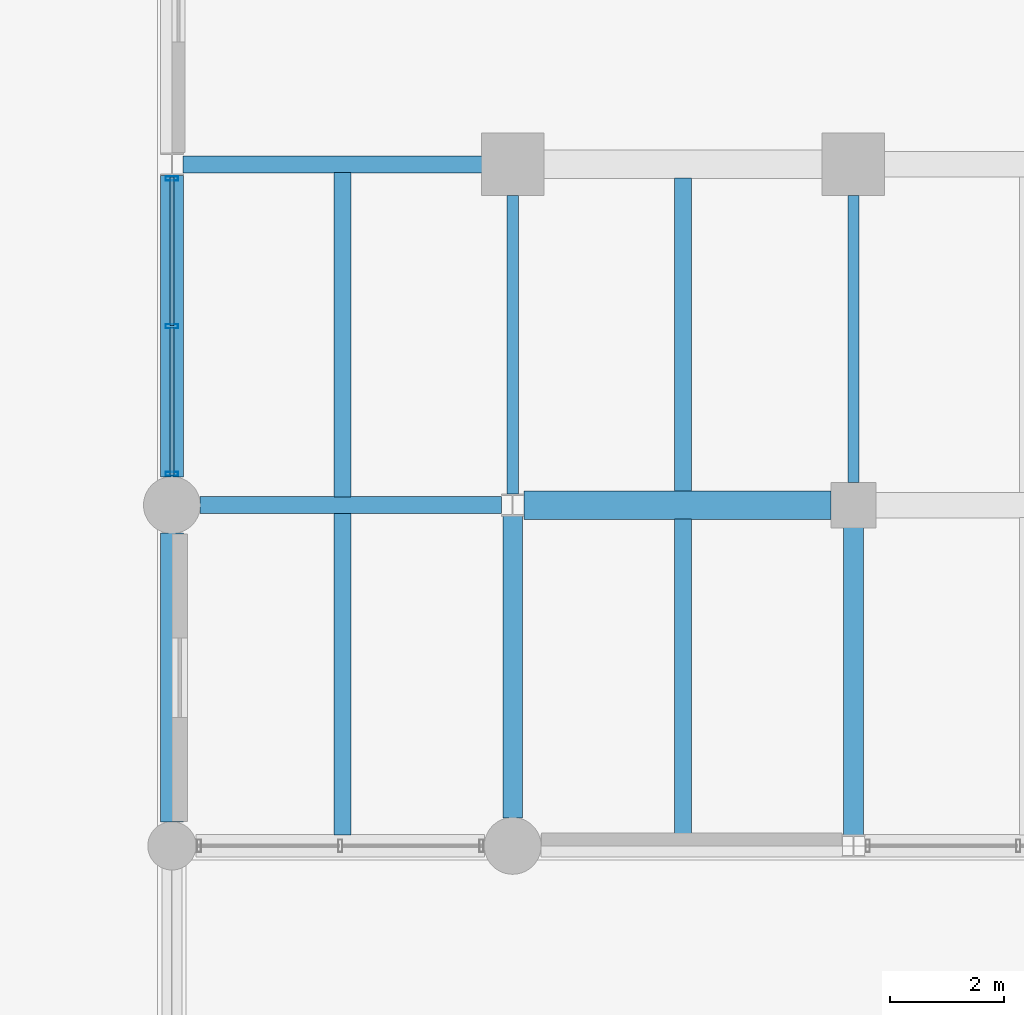
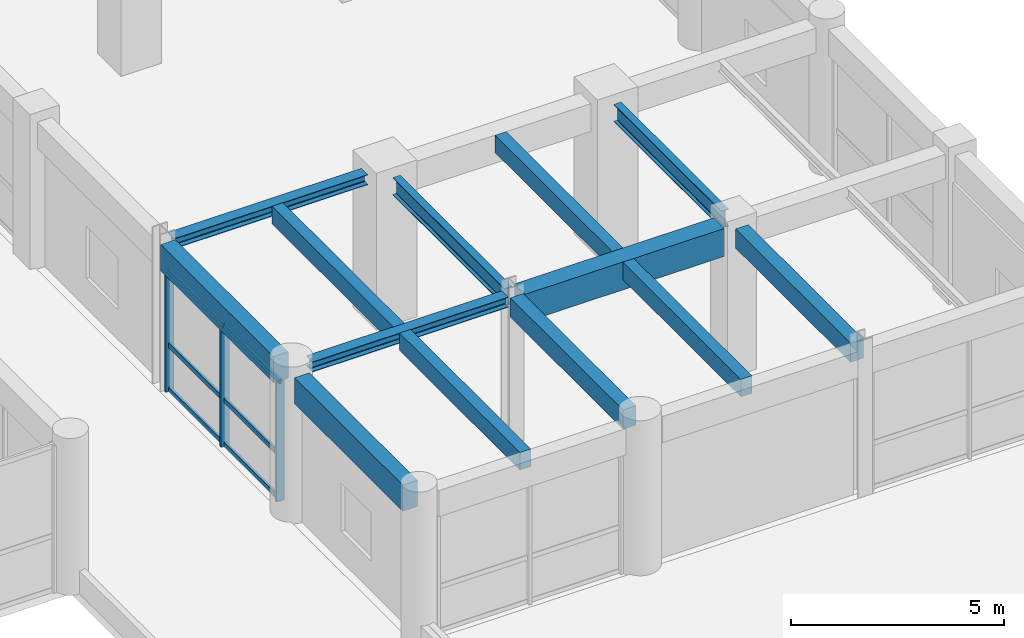
# One storey, part 63 of 133: 13 beams, 9 members, 1 element without a shape of its own.
"""IFC4 building model written with IfcOpenShell, lengths in metres."""

from ifc_helpers import new_model, si_unit, direction, frame, origin, origin_2d, place, context, subcontext, project, spatial, rectangle, hollow_rectangle, i_section, extrude, material, material_profile, profile_set, type_object, element, aggregate, save


model = new_model("IFC4")

# Units and contexts
model_context = context("Model", 3, precision=1e-05, world=origin(), true_north=direction((0.0, 1.0)))
body_context = subcontext(model_context, "Body", "Model", "MODEL_VIEW")
ifc_project = project(units=[si_unit("LENGTHUNIT", "METRE"), si_unit("AREAUNIT", "SQUARE_METRE"), si_unit("VOLUMEUNIT", "CUBIC_METRE"), si_unit("PLANEANGLEUNIT", "RADIAN"), si_unit("MASSUNIT", "GRAM", prefix="KILO"), si_unit("THERMODYNAMICTEMPERATUREUNIT", "KELVIN"), si_unit("POWERUNIT", "WATT")], contexts=[model_context])

# Site, building, storey
site_placement = place(None, origin())
site = spatial("IfcSite", under=ifc_project, at=site_placement, CompositionType="ELEMENT")
building_placement = place(site_placement, origin())
building = spatial("IfcBuilding", under=site, at=building_placement, Name="Phaisarnlok Congress Hotel", CompositionType="ELEMENT")
storey_placement = place(building_placement, frame((0.0, 0.0, 6.0)))
storey = spatial("IfcBuildingStorey", under=building, at=storey_placement, Name="L01", CompositionType="ELEMENT", Elevation=6.0)

# Beams
ifc_material_1 = material(Name="Concrete C40/50", Category="concrete")
ifc_material_profile_1 = material_profile(ifc_material_1, rectangle(XDim=0.35009765625, YDim=0.550048828125, at=origin_2d()), Name="RC 350x550")
ifc_profile_set_1 = profile_set([ifc_material_profile_1], Name="Concrete C40/50")
beam_type_1 = type_object("IfcBeamType", Name="BM-RC-350x550", PredefinedType="BEAM", material=ifc_profile_set_1)
beam_1_placement = place(storey_placement, frame((168.0, 30.4951171875, 3.945068359375), z_axis=(0.0, 1.0, 0.0), x_axis=(-1.0, 0.0, 0.0)))
element("IfcBeam", 1, at=beam_1_placement, inside=storey, type_object=beam_type_1, Name="Beam B-01", PredefinedType="BEAM", context=body_context, shape_type="SweptSolid", body=[
    extrude(rectangle(XDim=0.35009765625, YDim=0.550048828125, at=origin_2d()), origin(), (0.0, 0.0, 1.0), 5.310302734375),
])
beam_2_placement = place(storey_placement, frame((174.0, 30.194580078125, 3.945068359375), z_axis=(0.0, 1.0, 0.0), x_axis=(-1.0, 0.0, 0.0)))
element("IfcBeam", 2, at=beam_2_placement, inside=storey, type_object=beam_type_1, Name="Beam B-01", PredefinedType="BEAM", context=body_context, shape_type="SweptSolid", body=[
    extrude(rectangle(XDim=0.35009765625, YDim=0.550048828125, at=origin_2d()), origin(), (0.0, 0.0, 1.0), 5.410400390625),
])
ifc_material_profile_2 = material_profile(ifc_material_1, rectangle(XDim=0.5, YDim=0.800048828125, at=origin_2d()), Name="RC 500x800")
ifc_profile_set_2 = profile_set([ifc_material_profile_2], Name="Concrete C40/50")
beam_type_2 = type_object("IfcBeamType", Name="BM-RC-500x800", PredefinedType="BEAM", material=ifc_profile_set_2)
beam_3_placement = place(storey_placement, frame((168.195556640625, 36.0, 3.820068359375), z_axis=(1.0, 0.0, 0.0), x_axis=(0.0, 1.0, 0.0)))
element("IfcBeam", 3, at=beam_3_placement, inside=storey, type_object=beam_type_2, Name="Beam B-04", PredefinedType="BEAM", context=body_context, shape_type="SweptSolid", body=[
    extrude(rectangle(XDim=0.5, YDim=0.800048828125, at=origin_2d()), origin(), (0.0, 0.0, 1.0), 5.409423828125),
])
ifc_material_2 = material(Name="Steel S355", Category="steel")
ifc_material_profile_3 = material_profile(ifc_material_2, i_section(OverallWidth=0.300048828125, OverallDepth=0.2900390625, WebThickness=0.008544921875, FlangeThickness=0.013916015625, FilletRadius=0.027099609375, at=origin_2d()), Name="HEA 300")
ifc_profile_set_3 = profile_set([ifc_material_profile_3], Name="Steel S355")
beam_type_3 = type_object("IfcBeamType", Name="BM-STL-HEA300", PredefinedType="BEAM", material=ifc_profile_set_3)
beam_4_placement = place(storey_placement, frame((162.4951171875, 36.0, 4.074951171875), z_axis=(1.0, 0.0, 0.0), x_axis=(0.0, 1.0, 0.0)))
element("IfcBeam", 4, at=beam_4_placement, inside=storey, type_object=beam_type_3, Name="Beam SB-05", PredefinedType="BEAM", context=body_context, shape_type="SweptSolid", body=[
    extrude(i_section(OverallWidth=0.300048828125, OverallDepth=0.2900390625, WebThickness=0.008544921875, FlangeThickness=0.013916015625, FilletRadius=0.027099609375, at=origin_2d()), origin(), (0.0, 0.0, 1.0), 5.309326171875),
])
beam_5_placement = place(storey_placement, frame((162.195556640625, 42.0, 4.074951171875), z_axis=(1.0, 0.0, 0.0), x_axis=(0.0, 1.0, 0.0)))
element("IfcBeam", 5, at=beam_5_placement, inside=storey, type_object=beam_type_3, Name="Beam SB-05", PredefinedType="BEAM", context=body_context, shape_type="SweptSolid", body=[
    extrude(i_section(OverallWidth=0.300048828125, OverallDepth=0.2900390625, WebThickness=0.008544921875, FlangeThickness=0.013916015625, FilletRadius=0.027099609375, at=origin_2d()), origin(), (0.0, 0.0, 1.0), 5.259521484375),
])
ifc_material_profile_4 = material_profile(ifc_material_2, i_section(OverallWidth=0.199951171875, OverallDepth=0.5, WebThickness=0.01025390625, FlangeThickness=0.01611328125, FilletRadius=0.02099609375, at=origin_2d()), Name="IPE 500")
ifc_profile_set_4 = profile_set([ifc_material_profile_4], Name="Steel S355")
beam_type_4 = type_object("IfcBeamType", Name="BM-STL-IPE500", PredefinedType="BEAM", material=ifc_profile_set_4)
beam_6_placement = place(storey_placement, frame((168.0, 36.194580078125, 3.969970703125), z_axis=(0.0, 1.0, 0.0), x_axis=(-1.0, 0.0, 0.0)))
element("IfcBeam", 6, at=beam_6_placement, inside=storey, type_object=beam_type_4, Name="Beam SB-02", PredefinedType="BEAM", context=body_context, shape_type="SweptSolid", body=[
    extrude(i_section(OverallWidth=0.199951171875, OverallDepth=0.5, WebThickness=0.01025390625, FlangeThickness=0.01611328125, FilletRadius=0.02099609375, at=origin_2d()), origin(), (0.0, 0.0, 1.0), 5.260498046875),
])
beam_7_placement = place(storey_placement, frame((174.0, 36.39501953125, 3.969970703125), z_axis=(0.0, 1.0, 0.0), x_axis=(-1.0, 0.0, 0.0)))
element("IfcBeam", 7, at=beam_7_placement, inside=storey, type_object=beam_type_4, Name="Beam SB-02", PredefinedType="BEAM", context=body_context, shape_type="SweptSolid", body=[
    extrude(i_section(OverallWidth=0.199951171875, OverallDepth=0.5, WebThickness=0.01025390625, FlangeThickness=0.01611328125, FilletRadius=0.02099609375, at=origin_2d()), origin(), (0.0, 0.0, 1.0), 5.06005859375),
])

# Curtain wall, members
ifc_material_3 = material(Name="Thermally Broken Unitised Aluminium & Low-E Glazing", Category="aluminium")
curtain_wall_type = type_object("IfcCurtainWallType", Name="CW-UNIT-13", PredefinedType="NOTDEFINED", material=ifc_material_3)
curtain_wall_placement = place(storey_placement, origin())
curtain_wall = element("IfcCurtainWall", 8, at=curtain_wall_placement, inside=storey, type_object=curtain_wall_type, Name="Unitised curtain wall CW-13 (L01)", PredefinedType="NOTDEFINED")
ifc_material_4 = material(Name="Anodised Aluminium Alloy 6063-T6", Category="aluminium")
ifc_material_profile_5 = material_profile(ifc_material_4, hollow_rectangle(XDim=0.074951171875, YDim=0.219970703125, WallThickness=0.0048828125, at=origin_2d()), Name="ALU-M 75x220x5")
ifc_profile_set_5 = profile_set([ifc_material_profile_5], Name="Anodised Aluminium Alloy 6063-T6")
member_type_1 = type_object("IfcMemberType", Name="CWM-220", PredefinedType="MULLION", material=ifc_profile_set_5)
member_1_placement = place(storey_placement, frame((162.0, 41.75048828125, 0.0), z_axis=(0.0, 0.0, 1.0), x_axis=(0.0, -1.0, 0.0)))
member_1 = element("IfcMember", 9, at=member_1_placement, type_object=member_type_1, Name="Curtain wall mullion CWM-02", PredefinedType="MULLION", context=body_context, shape_type="SweptSolid", body=[
    extrude(hollow_rectangle(XDim=0.074951171875, YDim=0.219970703125, WallThickness=0.0048828125, at=origin_2d()), origin(), (0.0, 0.0, 1.0), 3.469970703125),
])
member_2_placement = place(storey_placement, frame((162.0, 39.150146484375, 0.0), z_axis=(0.0, 0.0, 1.0), x_axis=(0.0, -1.0, 0.0)))
member_2 = element("IfcMember", 10, at=member_2_placement, type_object=member_type_1, Name="Curtain wall mullion CWM-02", PredefinedType="MULLION", context=body_context, shape_type="SweptSolid", body=[
    extrude(hollow_rectangle(XDim=0.074951171875, YDim=0.219970703125, WallThickness=0.0048828125, at=origin_2d()), origin(), (0.0, 0.0, 1.0), 3.469970703125),
])
member_3_placement = place(storey_placement, frame((162.0, 36.550048828125, 0.0), z_axis=(0.0, 0.0, 1.0), x_axis=(0.0, -1.0, 0.0)))
member_3 = element("IfcMember", 11, at=member_3_placement, type_object=member_type_1, Name="Curtain wall mullion CWM-02", PredefinedType="MULLION", context=body_context, shape_type="SweptSolid", body=[
    extrude(hollow_rectangle(XDim=0.074951171875, YDim=0.219970703125, WallThickness=0.0048828125, at=origin_2d()), origin(), (0.0, 0.0, 1.0), 3.469970703125),
])
ifc_material_profile_6 = material_profile(ifc_material_4, hollow_rectangle(XDim=0.06494140625, YDim=0.139892578125, WallThickness=0.00390625, at=origin_2d()), Name="ALU-T 65x140x4")
ifc_profile_set_6 = profile_set([ifc_material_profile_6], Name="Anodised Aluminium Alloy 6063-T6")
member_type_2 = type_object("IfcMemberType", Name="CWT-150", PredefinedType="USERDEFINED", material=ifc_profile_set_6)
member_4_placement = place(storey_placement, frame((162.0, 41.775390625, 0.050048828125), z_axis=(0.0, -1.0, 0.0), x_axis=(1.0, 0.0, 0.0)))
member_4 = element("IfcMember", 12, at=member_4_placement, type_object=member_type_2, Name="Curtain wall transom CWT-01", ObjectType="TRANSOM", PredefinedType="USERDEFINED", context=body_context, shape_type="SweptSolid", body=[
    extrude(hollow_rectangle(XDim=0.06494140625, YDim=0.139892578125, WallThickness=0.00390625, at=origin_2d()), origin(), (0.0, 0.0, 1.0), 2.610107421875),
])
member_5_placement = place(storey_placement, frame((162.0, 41.775390625, 1.318603515625), z_axis=(0.0, -1.0, 0.0), x_axis=(1.0, 0.0, 0.0)))
member_5 = element("IfcMember", 13, at=member_5_placement, type_object=member_type_2, Name="Curtain wall transom CWT-01", ObjectType="TRANSOM", PredefinedType="USERDEFINED", context=body_context, shape_type="SweptSolid", body=[
    extrude(hollow_rectangle(XDim=0.06494140625, YDim=0.139892578125, WallThickness=0.00390625, at=origin_2d()), origin(), (0.0, 0.0, 1.0), 2.610107421875),
])
member_6_placement = place(storey_placement, frame((162.0, 41.775390625, 3.419921875), z_axis=(0.0, -1.0, 0.0), x_axis=(1.0, 0.0, 0.0)))
member_6 = element("IfcMember", 14, at=member_6_placement, type_object=member_type_2, Name="Curtain wall transom CWT-01", ObjectType="TRANSOM", PredefinedType="USERDEFINED", context=body_context, shape_type="SweptSolid", body=[
    extrude(hollow_rectangle(XDim=0.06494140625, YDim=0.139892578125, WallThickness=0.00390625, at=origin_2d()), origin(), (0.0, 0.0, 1.0), 2.610107421875),
])
member_7_placement = place(storey_placement, frame((162.0, 39.13525390625, 0.050048828125), z_axis=(0.0, -1.0, 0.0), x_axis=(1.0, 0.0, 0.0)))
member_7 = element("IfcMember", 15, at=member_7_placement, type_object=member_type_2, Name="Curtain wall transom CWT-01", ObjectType="TRANSOM", PredefinedType="USERDEFINED", context=body_context, shape_type="SweptSolid", body=[
    extrude(hollow_rectangle(XDim=0.06494140625, YDim=0.139892578125, WallThickness=0.00390625, at=origin_2d()), origin(), (0.0, 0.0, 1.0), 2.6103515625),
])
member_8_placement = place(storey_placement, frame((162.0, 39.13525390625, 1.318603515625), z_axis=(0.0, -1.0, 0.0), x_axis=(1.0, 0.0, 0.0)))
member_8 = element("IfcMember", 16, at=member_8_placement, type_object=member_type_2, Name="Curtain wall transom CWT-01", ObjectType="TRANSOM", PredefinedType="USERDEFINED", context=body_context, shape_type="SweptSolid", body=[
    extrude(hollow_rectangle(XDim=0.06494140625, YDim=0.139892578125, WallThickness=0.00390625, at=origin_2d()), origin(), (0.0, 0.0, 1.0), 2.6103515625),
])
member_9_placement = place(storey_placement, frame((162.0, 39.13525390625, 3.419921875), z_axis=(0.0, -1.0, 0.0), x_axis=(1.0, 0.0, 0.0)))
member_9 = element("IfcMember", 17, at=member_9_placement, type_object=member_type_2, Name="Curtain wall transom CWT-01", ObjectType="TRANSOM", PredefinedType="USERDEFINED", context=body_context, shape_type="SweptSolid", body=[
    extrude(hollow_rectangle(XDim=0.06494140625, YDim=0.139892578125, WallThickness=0.00390625, at=origin_2d()), origin(), (0.0, 0.0, 1.0), 2.6103515625),
])
aggregate(curtain_wall, [member_1, member_2, member_3, member_4, member_5, member_6, member_7, member_8, member_9])

# Beams
ifc_material_profile_7 = material_profile(ifc_material_1, rectangle(XDim=0.300048828125, YDim=0.5, at=origin_2d()), Name="RC 300x500")
ifc_profile_set_7 = profile_set([ifc_material_profile_7], Name="Concrete C40/50")
beam_type_5 = type_object("IfcBeamType", Name="JS-RC-300x500", PredefinedType="JOIST", material=ifc_profile_set_7)
beam_8_placement = place(storey_placement, frame((165.0, 30.195068359375, 3.969970703125), z_axis=(0.0, 1.0, 0.0), x_axis=(-1.0, 0.0, 0.0)))
element("IfcBeam", 18, at=beam_8_placement, inside=storey, type_object=beam_type_5, Name="Secondary floor joist J-01", PredefinedType="JOIST", context=body_context, shape_type="SweptSolid", body=[
    extrude(rectangle(XDim=0.300048828125, YDim=0.5, at=origin_2d()), origin(), (0.0, 0.0, 1.0), 5.659912109375),
])
beam_9_placement = place(storey_placement, frame((165.0, 36.14501953125, 3.969970703125), z_axis=(0.0, 1.0, 0.0), x_axis=(-1.0, 0.0, 0.0)))
element("IfcBeam", 19, at=beam_9_placement, inside=storey, type_object=beam_type_5, Name="Secondary floor joist J-01", PredefinedType="JOIST", context=body_context, shape_type="SweptSolid", body=[
    extrude(rectangle(XDim=0.300048828125, YDim=0.5, at=origin_2d()), origin(), (0.0, 0.0, 1.0), 5.7099609375),
])
beam_10_placement = place(storey_placement, frame((171.0, 30.195068359375, 3.969970703125), z_axis=(0.0, 1.0, 0.0), x_axis=(-1.0, 0.0, 0.0)))
element("IfcBeam", 20, at=beam_10_placement, inside=storey, type_object=beam_type_5, Name="Secondary floor joist J-01", PredefinedType="JOIST", context=body_context, shape_type="SweptSolid", body=[
    extrude(rectangle(XDim=0.300048828125, YDim=0.5, at=origin_2d()), origin(), (0.0, 0.0, 1.0), 5.559814453125),
])
beam_11_placement = place(storey_placement, frame((171.0, 36.2451171875, 3.969970703125), z_axis=(0.0, 1.0, 0.0), x_axis=(-1.0, 0.0, 0.0)))
element("IfcBeam", 21, at=beam_11_placement, inside=storey, type_object=beam_type_5, Name="Secondary floor joist J-01", PredefinedType="JOIST", context=body_context, shape_type="SweptSolid", body=[
    extrude(rectangle(XDim=0.300048828125, YDim=0.5, at=origin_2d()), origin(), (0.0, 0.0, 1.0), 5.509765625),
])
ifc_material_profile_8 = material_profile(ifc_material_1, rectangle(XDim=0.39990234375, YDim=0.75, at=origin_2d()), Name="RC 400x750")
ifc_profile_set_8 = profile_set([ifc_material_profile_8], Name="Concrete C40/50")
beam_type_6 = type_object("IfcBeamType", Name="SP-RC-400x750", PredefinedType="SPANDREL", material=ifc_profile_set_8)
beam_12_placement = place(storey_placement, frame((162.0, 30.419921875, 3.844970703125), z_axis=(0.0, 1.0, 0.0), x_axis=(-1.0, 0.0, 0.0)))
element("IfcBeam", 22, at=beam_12_placement, inside=storey, type_object=beam_type_6, Name="Beam SP-02", PredefinedType="SPANDREL", context=body_context, shape_type="SweptSolid", body=[
    extrude(rectangle(XDim=0.39990234375, YDim=0.75, at=origin_2d()), origin(), (0.0, 0.0, 1.0), 5.0849609375),
])
beam_13_placement = place(storey_placement, frame((162.0, 36.4951171875, 3.844970703125), z_axis=(0.0, 1.0, 0.0), x_axis=(-1.0, 0.0, 0.0)))
element("IfcBeam", 23, at=beam_13_placement, inside=storey, type_object=beam_type_6, Name="Beam SP-02", PredefinedType="SPANDREL", context=body_context, shape_type="SweptSolid", body=[
    extrude(rectangle(XDim=0.39990234375, YDim=0.75, at=origin_2d()), origin(), (0.0, 0.0, 1.0), 5.310302734375),
])

save(model, "model.ifc")
